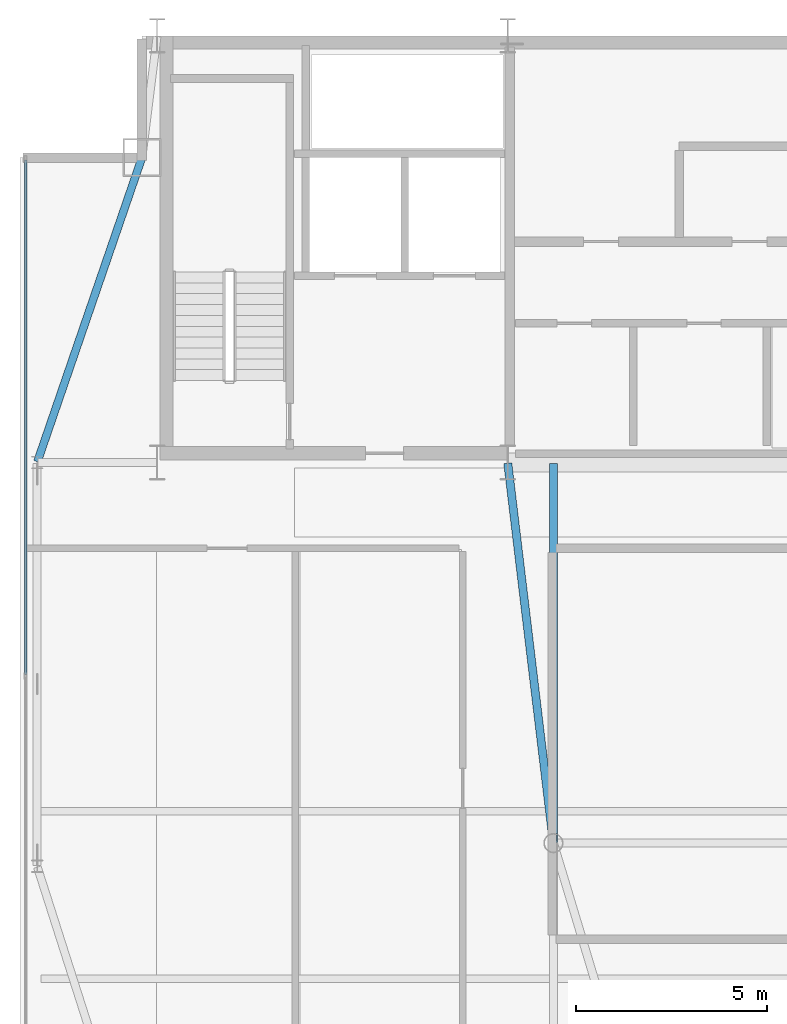
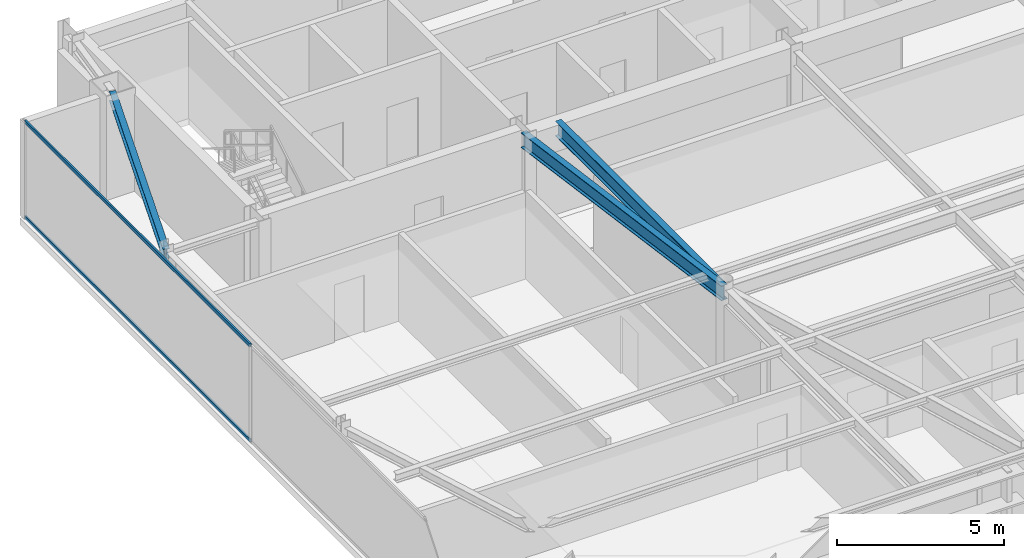
# One storey, part 11 of 24: 3 beams, 2 members, 1 element without a shape of its own.
"""IFC4 building model written with IfcOpenShell, lengths in metres."""

from ifc_helpers import new_model, si_unit, direction, frame, origin, origin_2d, place, context, subcontext, project, spatial, hollow_rectangle, i_section, extrude, source, transform, mapped, material, layer, layer_set, material_profile, profile_set, type_object, type_shapes, element, aggregate, save


model = new_model("IFC4")

# Units and contexts
model_context = context("Model", 3, precision=1e-05, world=origin(), true_north=direction((0.0, 1.0)))
body_context = subcontext(model_context, "Body", "Model", "MODEL_VIEW")
ifc_project = project(units=[si_unit("LENGTHUNIT", "METRE"), si_unit("AREAUNIT", "SQUARE_METRE"), si_unit("VOLUMEUNIT", "CUBIC_METRE"), si_unit("PLANEANGLEUNIT", "RADIAN"), si_unit("MASSUNIT", "GRAM", prefix="KILO")], contexts=[model_context])

# Site, building, storey
site_placement = place(None, origin())
site = spatial("IfcSite", under=ifc_project, at=site_placement, CompositionType="ELEMENT")
building_placement = place(site_placement, origin())
building = spatial("IfcBuilding", under=site, at=building_placement, Name="Varnel Quay Broadcast Tower", CompositionType="ELEMENT")
storey_placement = place(building_placement, frame((0.0, 0.0, 292.60009765625)))
storey = spatial("IfcBuildingStorey", under=building, at=storey_placement, Name="L73", CompositionType="ELEMENT", Elevation=292.60009765625)

# Beams
ifc_material_1 = material(Name="Structural Steel CSA G40.21 350W", Category="steel")
ifc_material_profile_1 = material_profile(ifc_material_1, i_section(OverallWidth=0.205078125, OverallDepth=0.35400390625, WebThickness=0.009521484375, FlangeThickness=0.016845703125, FilletRadius=0.012939453125, at=origin_2d()), Name="W360X79")
ifc_profile_set_1 = profile_set([ifc_material_profile_1], Name="Structural Steel CSA G40.21 350W")
beam_type_1 = type_object("IfcBeamType", Name="Beam_W360X79", PredefinedType="SPANDREL", material=ifc_profile_set_1)
shared_shape_1 = source(origin(), body_context, "Body", "SweptSolid", [
    extrude(i_section(OverallWidth=0.205078125, OverallDepth=0.35400390625, WebThickness=0.009521484375, FlangeThickness=0.016845703125, FilletRadius=0.012939453125, at=origin_2d()), origin(), (0.0, 0.0, 1.0), 8.41943359375),
])
type_shapes(beam_type_1, [shared_shape_1])
beam_1_placement = place(storey_placement, frame((12.45654296875, 35.618896484375, 3.372802734375), z_axis=(0.325087062108, 0.945684092099, 0.0), x_axis=(-0.945684092099, 0.325087062108, 0.0)))
element("IfcBeam", 1, at=beam_1_placement, inside=storey, type_object=beam_type_1, Name="L73 West Spandrel TC-W2-MC-NW", PredefinedType="SPANDREL", context=body_context, shape_type="MappedRepresentation", body=[
    mapped(shared_shape_1, transform((0.0, 0.0, 0.0), x_axis=(1.0, 0.0, 0.0), y_axis=(0.0, 1.0, 0.0), z_axis=(0.0, 0.0, 1.0), scale=1.0)),
])
ifc_material_profile_2 = material_profile(ifc_material_1, i_section(OverallWidth=0.2119140625, OverallDepth=0.5439453125, WebThickness=0.01318359375, FlangeThickness=0.021240234375, FilletRadius=0.013916015625, at=origin_2d()), Name="W530X123")
ifc_profile_set_2 = profile_set([ifc_material_profile_2], Name="Structural Steel CSA G40.21 350W")
beam_type_2 = type_object("IfcBeamType", Name="Girder_W530X123", PredefinedType="BEAM", material=ifc_profile_set_2)
shared_shape_2 = source(origin(), body_context, "Body", "SweptSolid", [
    extrude(i_section(OverallWidth=0.2119140625, OverallDepth=0.5439453125, WebThickness=0.01318359375, FlangeThickness=0.021240234375, FilletRadius=0.013916015625, at=origin_2d()), origin(), (0.0, 0.0, 1.0), 10.021728515625),
])
beam_2_placement = place(storey_placement, frame((25.99755859375, 25.6298828125, 3.27783203125), z_axis=(-0.119248005741, 0.992864498875, 0.0), x_axis=(-0.992864498875, -0.119248005741, 0.0)))
element("IfcBeam", 2, at=beam_2_placement, inside=storey, type_object=beam_type_2, Name="L73 Primary Girder IC-01-CC-S2", PredefinedType="BEAM", context=body_context, shape_type="MappedRepresentation", body=[
    mapped(shared_shape_2, transform((0.0, 0.0, 0.0), x_axis=(1.0, 0.0, 0.0), y_axis=(0.0, 1.0, 0.0), z_axis=(0.0, 0.0, 1.0), scale=1.0)),
])
shared_shape_3 = source(origin(), body_context, "Body", "SweptSolid", [
    extrude(i_section(OverallWidth=0.2119140625, OverallDepth=0.5439453125, WebThickness=0.01318359375, FlangeThickness=0.021240234375, FilletRadius=0.013916015625, at=origin_2d()), origin(), (0.0, 0.0, 1.0), 9.9501953125),
])
type_shapes(beam_type_2, [shared_shape_2, shared_shape_3])
beam_3_placement = place(storey_placement, frame((26.0, 25.6298828125, 3.27783203125), z_axis=(0.0, 1.0, 0.0), x_axis=(-1.0, 0.0, 0.0)))
element("IfcBeam", 3, at=beam_3_placement, inside=storey, type_object=beam_type_2, Name="L73 N-S Joist Header IC-01N", PredefinedType="BEAM", context=body_context, shape_type="MappedRepresentation", body=[
    mapped(shared_shape_3, transform((0.0, 0.0, 0.0), x_axis=(1.0, 0.0, 0.0), y_axis=(0.0, 1.0, 0.0), z_axis=(0.0, 0.0, 1.0), scale=1.0)),
])

# Curtain wall, members
ifc_material_2 = material(Name="Anodised Bronze Aluminium 6063-T6", Category="aluminium")
ifc_layer = layer(ifc_material_2, 0.18994140625, Name="Anodised Bronze Aluminium 6063-T6")
ifc_layer_set = layer_set([ifc_layer], Name="Anodised Bronze Aluminium 6063-T6")
curtain_wall_type = type_object("IfcCurtainWallType", Name="CW_UpperTower", PredefinedType="NOTDEFINED", material=ifc_layer_set)
curtain_wall_placement = place(storey_placement, origin())
curtain_wall = element("IfcCurtainWall", 4, at=curtain_wall_placement, inside=storey, type_object=curtain_wall_type, Name="L73 West Unitised Curtain Wall", PredefinedType="NOTDEFINED")
ifc_material_profile_3 = material_profile(ifc_material_2, hollow_rectangle(XDim=0.06005859375, YDim=0.125, WallThickness=0.0029296875, at=origin_2d()), Name="ALU60X125X3")
ifc_profile_set_3 = profile_set([ifc_material_profile_3], Name="Anodised Bronze Aluminium 6063-T6")
member_type = type_object("IfcMemberType", Name="Tran_CWS-03", PredefinedType="USERDEFINED", material=ifc_profile_set_3)
shared_shape_4 = source(origin(), body_context, "Body", "SweptSolid", [
    extrude(hollow_rectangle(XDim=0.06005859375, YDim=0.125, WallThickness=0.0029296875, at=origin_2d()), origin(), (0.0, 0.0, 1.0), 13.50244140625),
])
type_shapes(member_type, [shared_shape_4])
member_1_placement = place(storey_placement, frame((12.14990234375, 30.032470703125, 0.02978515625), z_axis=(0.0, 1.0, 0.0), x_axis=(-1.0, 0.0, 0.0)))
member_1 = element("IfcMember", 5, at=member_1_placement, type_object=member_type, Name="CWS-03 transom 2.1", ObjectType="TRANSOM", PredefinedType="USERDEFINED", context=body_context, shape_type="MappedRepresentation", body=[
    mapped(shared_shape_4, transform((0.0, 0.0, 0.0), x_axis=(1.0, 0.0, 0.0), y_axis=(0.0, 1.0, 0.0), z_axis=(0.0, 0.0, 1.0), scale=1.0)),
])
member_2_placement = place(storey_placement, frame((12.14990234375, 30.032470703125, 3.52001953125), z_axis=(0.0, 1.0, 0.0), x_axis=(-1.0, 0.0, 0.0)))
member_2 = element("IfcMember", 6, at=member_2_placement, type_object=member_type, Name="CWS-03 transom 2.2", ObjectType="TRANSOM", PredefinedType="USERDEFINED", context=body_context, shape_type="MappedRepresentation", body=[
    mapped(shared_shape_4, transform((0.0, 0.0, 0.0), x_axis=(1.0, 0.0, 0.0), y_axis=(0.0, 1.0, 0.0), z_axis=(0.0, 0.0, 1.0), scale=1.0)),
])
aggregate(curtain_wall, [member_1, member_2])

save(model, "model.ifc")
